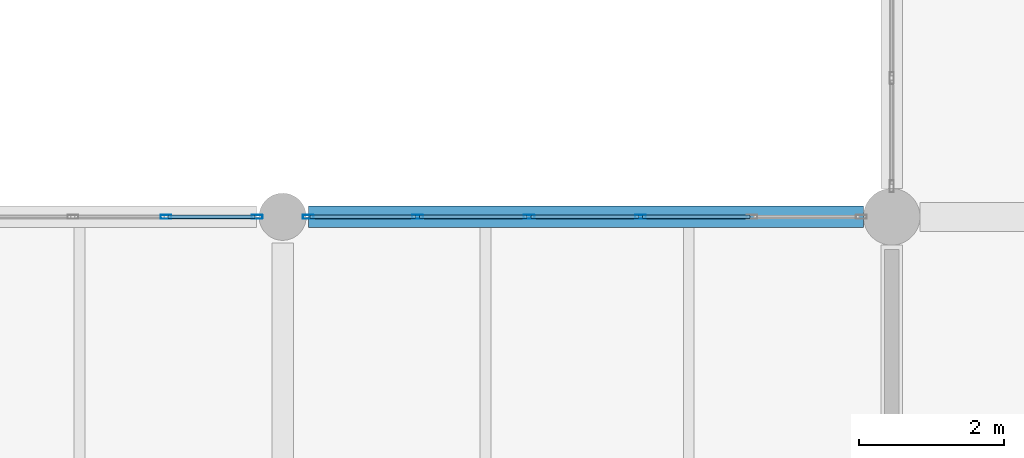
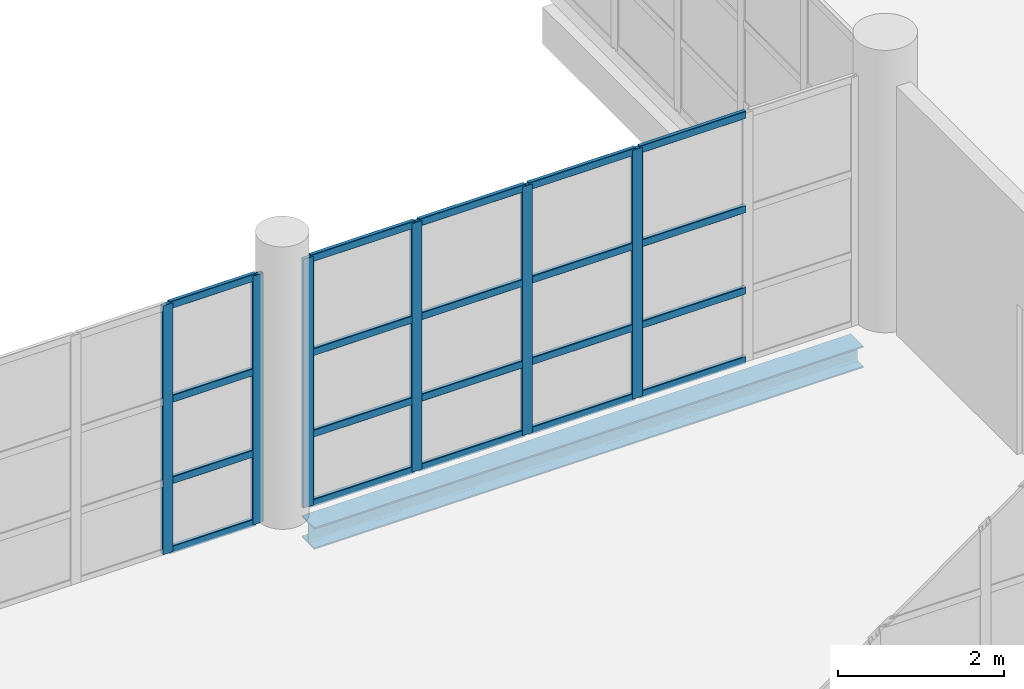
# One storey, part 77 of 177: 26 members, 1 beam, 2 elements without a shape of their own.
"""IFC4 building model written with IfcOpenShell, lengths in metres."""

import ifcopenshell
import ifcopenshell.guid

model = None  # the IFC model being written
_history = None  # IfcOwnerHistory: only IFC2X3 demands one
_inside = {}  # id of a spatial element -> (the spatial element, [elements in it])
_under = {}  # id of a project, library or spatial element -> (it, [spatial elements below it])
_declared = {}  # id of a project -> (the project, [libraries it declares])
_typed = {}  # id of a type object -> (the type object, [elements of that type])
_made_of = {}  # id of a material, layer set ... -> (it, [elements and type objects made of it])


def new_model(schema):
    """Start an empty IFC model of exactly this schema.

    Asked for "IFC4X3", IfcOpenShell would pick the latest addendum, in which some entities
    have other attributes; the version numbers below select the first issue.
    IFC2X3 requires an IfcOwnerHistory on every rooted entity: one is made here for all.
    """
    global model, _history
    if schema == "IFC4X3":
        model = ifcopenshell.file(schema_version=(4, 3, 0, 0))
    else:
        model = ifcopenshell.file(schema=schema)
    _inside.clear()
    _under.clear()
    _declared.clear()
    _typed.clear()
    _made_of.clear()
    _history = None
    if model.schema == "IFC2X3":
        org = make("IfcOrganization", Name="unknown")
        user = make(
            "IfcPersonAndOrganization",
            ThePerson=make("IfcPerson", FamilyName="unknown"),
            TheOrganization=org,
        )
        app = make(
            "IfcApplication",
            ApplicationDeveloper=org,
            Version="unknown",
            ApplicationFullName="unknown",
            ApplicationIdentifier="unknown",
        )
        _history = make(
            "IfcOwnerHistory",
            OwningUser=user,
            OwningApplication=app,
            ChangeAction="ADDED",
            CreationDate=0,
        )
    return model


def make(cls, **values):
    """One entity of the class cls with the attributes given. An attribute that is None is left unset."""
    return model.create_entity(
        cls, **{name: value for name, value in values.items() if value is not None}
    )


def rooted(cls, **values):
    """An entity with a GlobalId (a new one), such as an element, a storey or a relation."""
    return make(cls, GlobalId=ifcopenshell.guid.new(), OwnerHistory=_history, **values)


def si_unit(unit_type, name, prefix=None):
    """IfcSIUnit, for example si_unit("LENGTHUNIT", "METRE", prefix="MILLI")."""
    return make("IfcSIUnit", UnitType=unit_type, Prefix=prefix, Name=name)


def assignment(units):
    """IfcUnitAssignment: the units of a project."""
    return None if units is None else make("IfcUnitAssignment", Units=units)


def point(xyz):
    """IfcCartesianPoint."""
    return None if xyz is None else make("IfcCartesianPoint", Coordinates=xyz)


def direction(xyz):
    """IfcDirection."""
    return None if xyz is None else make("IfcDirection", DirectionRatios=xyz)


def frame(location, z_axis=None, x_axis=None):
    """IfcAxis2Placement3D, a coordinate frame: its origin and axes. An axis left out is left unset."""
    return make(
        "IfcAxis2Placement3D",
        Location=point(location),
        Axis=direction(z_axis),
        RefDirection=direction(x_axis),
    )


def frame_2d(location, x_axis=None):
    """IfcAxis2Placement2D, a coordinate frame in the plane: its origin and x axis."""
    return make(
        "IfcAxis2Placement2D", Location=point(location), RefDirection=direction(x_axis)
    )


def origin():
    """The frame at (0, 0, 0) with its axes left unset."""
    return frame((0.0, 0.0, 0.0))


def origin_2d():
    """The frame at (0, 0) in the plane with its x axis left unset."""
    return frame_2d((0.0, 0.0))


def place(relative_to, where):
    """IfcLocalPlacement: puts the frame where relative to a parent placement (None: the world)."""
    return make(
        "IfcLocalPlacement", PlacementRelTo=relative_to, RelativePlacement=where
    )


def context(
    kind, dimensions, precision=None, world=None, true_north=None, identifier=None
):
    """IfcGeometricRepresentationContext, for example the 3D "Model" context."""
    return make(
        "IfcGeometricRepresentationContext",
        ContextIdentifier=identifier,
        ContextType=kind,
        CoordinateSpaceDimension=dimensions,
        Precision=precision,
        WorldCoordinateSystem=world,
        TrueNorth=true_north,
    )


def subcontext(parent, identifier, kind, view, scale=None):
    """IfcGeometricRepresentationSubContext, for example "Body" below "Model"."""
    return make(
        "IfcGeometricRepresentationSubContext",
        ContextIdentifier=identifier,
        ContextType=kind,
        ParentContext=parent,
        TargetScale=scale,
        TargetView=view,
    )


def project(units=None, contexts=None):
    """IfcProject with its units and contexts."""
    return rooted(
        "IfcProject",
        Name="project",
        RepresentationContexts=contexts,
        UnitsInContext=assignment(units),
    )


def spatial(cls, under=None, at=None, **own):
    """A site, building, storey or space (cls), placed at a placement, below another one or the project."""
    s = rooted(cls, ObjectPlacement=at, **own)
    if under is not None:
        _under.setdefault(under.id(), (under, []))[1].append(s)
    return s


def profile(cls, at=None, kind="AREA", **sizes):
    """A parametric profile (cls). Its sizes go by their IFC names, for example OverallWidth=200.0."""
    return make(cls, ProfileType=kind, Position=at, **sizes)


def hollow_rectangle(**sizes):
    """IfcRectangleHollowProfileDef."""
    return profile("IfcRectangleHollowProfileDef", **sizes)


def i_section(**sizes):
    """IfcIShapeProfileDef."""
    return profile("IfcIShapeProfileDef", **sizes)


def extrude(swept, where, along, depth):
    """IfcExtrudedAreaSolid: the profile swept, set in the frame where, extruded along a direction by depth."""
    return make(
        "IfcExtrudedAreaSolid",
        SweptArea=swept,
        Position=where,
        ExtrudedDirection=direction(along),
        Depth=depth,
    )


def shape(context_of_items, identifier, shape_type, items):
    """IfcShapeRepresentation: the items that make up one representation, for example the "Body"."""
    return make(
        "IfcShapeRepresentation",
        ContextOfItems=context_of_items,
        RepresentationIdentifier=identifier,
        RepresentationType=shape_type,
        Items=items,
    )


def material(Name=None, Category=None):
    """IfcMaterial."""
    return make("IfcMaterial", Name=Name, Category=Category)


def layer(
    of_material, thickness, ventilated=None, Name=None, Category=None, Priority=None
):
    """IfcMaterialLayer: one layer of a wall or slab, of a material (None: an air gap)."""
    return make(
        "IfcMaterialLayer",
        Material=of_material,
        LayerThickness=thickness,
        IsVentilated=ventilated,
        Name=Name,
        Category=Category,
        Priority=Priority,
    )


def layer_set(layers, Name=None):
    """IfcMaterialLayerSet."""
    return make("IfcMaterialLayerSet", MaterialLayers=layers, LayerSetName=Name)


def material_profile(
    of_material, cross_section, Name=None, Category=None, Priority=None
):
    """IfcMaterialProfile: a cross section and its material."""
    return make(
        "IfcMaterialProfile",
        Name=Name,
        Material=of_material,
        Profile=cross_section,
        Priority=Priority,
        Category=Category,
    )


def profile_set(profiles, Name=None, composite=None):
    """IfcMaterialProfileSet."""
    return make(
        "IfcMaterialProfileSet",
        Name=Name,
        MaterialProfiles=profiles,
        CompositeProfile=composite,
    )


def made_of(thing, what):
    """Note that an element or type object is made of a material, layer set ...; save() writes the relation."""
    if what is not None:
        _made_of.setdefault(what.id(), (what, []))[1].append(thing)
    return thing


def type_object(cls, material=None, **own):
    """A type object (cls), such as IfcWallType, which elements share."""
    return made_of(rooted(cls, **own), material)


def element(
    cls,
    number,
    at=None,
    inside=None,
    cuts=None,
    type_object=None,
    material=None,
    context=None,
    identifier="Body",
    shape_type=None,
    held_by="IfcProductDefinitionShape",
    body=None,
    shapes=None,
    **own,
):
    """One element of the class cls, such as IfcWall. Its Tag is "e" and its number.

    at: its placement. inside: the storey or other place that contains it. cuts: it is an
    opening in that element (IfcRelVoidsElement). A single representation is given by context,
    identifier, shape_type and body (its items); several are given by shapes. held_by: the class
    of the entity that holds the representations. save() writes the other relations.
    """
    e = rooted(cls, Tag="e%d" % number, ObjectPlacement=at, **own)
    if body is not None:
        shapes = [shape(context, identifier, shape_type, body)]
    if shapes is not None:
        e.Representation = make(held_by, Representations=shapes)
    if inside is not None:
        _inside.setdefault(inside.id(), (inside, []))[1].append(e)
    if cuts is not None:
        rooted(
            "IfcRelVoidsElement", RelatingBuildingElement=cuts, RelatedOpeningElement=e
        )
    if type_object is not None:
        _typed.setdefault(type_object.id(), (type_object, []))[1].append(e)
    return made_of(e, material)


def aggregate(whole, parts):
    """IfcRelAggregates: a whole, such as a stair, and the parts it consists of."""
    return rooted("IfcRelAggregates", RelatingObject=whole, RelatedObjects=parts)


def save(model, path):
    """Write the relations noted so far, then the file.

    IfcRelAggregates (storeys below a building ...), IfcRelContainedInSpatialStructure (elements
    in a storey), IfcRelDefinesByType, IfcRelAssociatesMaterial and IfcRelDeclares: one each for
    every whole, place, type object, material and project.
    """
    for whole, parts in _under.values():
        aggregate(whole, parts)
    for where, things in _inside.values():
        rooted(
            "IfcRelContainedInSpatialStructure",
            RelatedElements=things,
            RelatingStructure=where,
        )
    for kind, things in _typed.values():
        rooted("IfcRelDefinesByType", RelatedObjects=things, RelatingType=kind)
    for what, things in _made_of.values():
        rooted("IfcRelAssociatesMaterial", RelatedObjects=things, RelatingMaterial=what)
    for by, libraries in _declared.values():
        rooted("IfcRelDeclares", RelatingContext=by, RelatedDefinitions=libraries)
    model.write(path)


model = new_model("IFC4")

# Units and contexts
model_context = context("Model", 3, precision=1e-05, world=origin(), true_north=direction((0.0, 1.0)))
body_context = subcontext(model_context, "Body", "Model", "MODEL_VIEW")
ifc_project = project(units=[si_unit("LENGTHUNIT", "METRE"), si_unit("AREAUNIT", "SQUARE_METRE"), si_unit("VOLUMEUNIT", "CUBIC_METRE"), si_unit("PLANEANGLEUNIT", "RADIAN"), si_unit("MASSUNIT", "GRAM", prefix="KILO"), si_unit("THERMODYNAMICTEMPERATUREUNIT", "KELVIN"), si_unit("POWERUNIT", "WATT")], contexts=[model_context])

# Site, building, storey
site_placement = place(None, origin())
site = spatial("IfcSite", under=ifc_project, at=site_placement, CompositionType="ELEMENT")
building_placement = place(site_placement, origin())
building = spatial("IfcBuilding", under=site, at=building_placement, Name="Mavoryth Pier Ferry Terminal", CompositionType="ELEMENT")
storey_placement = place(building_placement, frame((0.0, 0.0, 5.43994140625)))
storey = spatial("IfcBuildingStorey", under=building, at=storey_placement, Name="L01", CompositionType="ELEMENT", Elevation=5.43994140625)

# Curtain wall, members
ifc_material_1 = material(Name="Anodised Aluminium and Solar-Control Low-E Glass", Category="aluminium")
ifc_layer = layer(ifc_material_1, 0.1201171875, Name="Anodised Aluminium and Solar-Control Low-E Glass", Category="aluminium")
ifc_layer_set = layer_set([ifc_layer], Name="Anodised Aluminium and Solar-Control Low-E Glass - CW-BridgeLink-Mod1400")
curtain_wall_type = type_object("IfcCurtainWallType", Name="CW-BridgeLink-Mod1400", PredefinedType="USERDEFINED", material=ifc_layer_set)
curtain_wall_1_placement = place(storey_placement, origin())
curtain_wall_1 = element("IfcCurtainWall", 1, at=curtain_wall_1_placement, inside=storey, type_object=curtain_wall_type, Name="Curtain Wall CW-0111-099", ObjectType="UNITISED CURTAIN WALL", PredefinedType="USERDEFINED")
ifc_material_2 = material(Name="Anodised Aluminium EN AW-6063", Category="aluminium")
ifc_material_profile_1 = material_profile(ifc_material_2, hollow_rectangle(XDim=0.054931640625, YDim=0.14990234375, WallThickness=0.00390625, InnerFilletRadius=0.00390625, OuterFilletRadius=0.008056640625, at=origin_2d()), Name="AL-MULL 150x55x4", Category="aluminium")
ifc_profile_set_1 = profile_set([ifc_material_profile_1], Name="Anodised Aluminium EN AW-6063 - AL-MULL 150x55x4")
member_type_1 = type_object("IfcMemberType", Name="Mullion-Alum-150x55", PredefinedType="MULLION", material=ifc_profile_set_1)
member_1_placement = place(storey_placement, frame((40.3916015625, 97.60009765625, 0.0), z_axis=(0.0, 0.0, 1.0), x_axis=(0.0, 1.0, 0.0)))
member_1 = element("IfcMember", 2, at=member_1_placement, type_object=member_type_1, Name="CW08 mullion 6", PredefinedType="MULLION", context=body_context, shape_type="SweptSolid", body=[
    extrude(hollow_rectangle(XDim=0.054931640625, YDim=0.14990234375, WallThickness=0.00390625, InnerFilletRadius=0.00390625, OuterFilletRadius=0.008056640625, at=origin_2d()), origin(), (0.0, 0.0, 1.0), 3.6650390625),
])
member_2_placement = place(storey_placement, frame((41.6474609375, 97.60009765625, 0.0), z_axis=(0.0, 0.0, 1.0), x_axis=(0.0, 1.0, 0.0)))
member_2 = element("IfcMember", 3, at=member_2_placement, type_object=member_type_1, Name="CW08 mullion 7", PredefinedType="MULLION", context=body_context, shape_type="SweptSolid", body=[
    extrude(hollow_rectangle(XDim=0.054931640625, YDim=0.14990234375, WallThickness=0.00390625, InnerFilletRadius=0.00390625, OuterFilletRadius=0.008056640625, at=origin_2d()), origin(), (0.0, 0.0, 1.0), 3.6650390625),
])

curtain_wall_2_placement = place(storey_placement, origin())
curtain_wall_2 = element("IfcCurtainWall", 4, at=curtain_wall_2_placement, inside=storey, type_object=curtain_wall_type, Name="Curtain Wall CW-0111-101", ObjectType="UNITISED CURTAIN WALL", PredefinedType="USERDEFINED")
member_3_placement = place(storey_placement, frame((42.3525390625, 97.60009765625, 0.0), z_axis=(0.0, 0.0, 1.0), x_axis=(0.0, 1.0, 0.0)))
member_3 = element("IfcMember", 5, at=member_3_placement, type_object=member_type_1, Name="CW08 mullion 1", PredefinedType="MULLION", context=body_context, shape_type="SweptSolid", body=[
    extrude(hollow_rectangle(XDim=0.054931640625, YDim=0.14990234375, WallThickness=0.00390625, InnerFilletRadius=0.00390625, OuterFilletRadius=0.008056640625, at=origin_2d()), origin(), (0.0, 0.0, 1.0), 3.6650390625),
])
member_4_placement = place(storey_placement, frame((43.862060546875, 97.60009765625, 0.0), z_axis=(0.0, 0.0, 1.0), x_axis=(0.0, 1.0, 0.0)))
member_4 = element("IfcMember", 6, at=member_4_placement, type_object=member_type_1, Name="CW08 mullion 2", PredefinedType="MULLION", context=body_context, shape_type="SweptSolid", body=[
    extrude(hollow_rectangle(XDim=0.054931640625, YDim=0.14990234375, WallThickness=0.00390625, InnerFilletRadius=0.00390625, OuterFilletRadius=0.008056640625, at=origin_2d()), origin(), (0.0, 0.0, 1.0), 3.6650390625),
])
member_5_placement = place(storey_placement, frame((45.39892578125, 97.60009765625, 0.0), z_axis=(0.0, 0.0, 1.0), x_axis=(0.0, 1.0, 0.0)))
member_5 = element("IfcMember", 7, at=member_5_placement, type_object=member_type_1, Name="CW08 mullion 3", PredefinedType="MULLION", context=body_context, shape_type="SweptSolid", body=[
    extrude(hollow_rectangle(XDim=0.054931640625, YDim=0.14990234375, WallThickness=0.00390625, InnerFilletRadius=0.00390625, OuterFilletRadius=0.008056640625, at=origin_2d()), origin(), (0.0, 0.0, 1.0), 3.6650390625),
])
member_6_placement = place(storey_placement, frame((46.93603515625, 97.60009765625, 0.0), z_axis=(0.0, 0.0, 1.0), x_axis=(0.0, 1.0, 0.0)))
member_6 = element("IfcMember", 8, at=member_6_placement, type_object=member_type_1, Name="CW08 mullion 4", PredefinedType="MULLION", context=body_context, shape_type="SweptSolid", body=[
    extrude(hollow_rectangle(XDim=0.054931640625, YDim=0.14990234375, WallThickness=0.00390625, InnerFilletRadius=0.00390625, OuterFilletRadius=0.008056640625, at=origin_2d()), origin(), (0.0, 0.0, 1.0), 3.6650390625),
])

# Beam
ifc_material_3 = material(Name="Steel S355J2", Category="steel")
ifc_material_profile_2 = material_profile(ifc_material_3, i_section(OverallWidth=0.300048828125, OverallDepth=0.320068359375, WebThickness=0.011474609375, FlangeThickness=0.0205078125, FilletRadius=0.027099609375, at=origin_2d()), Name="HEB 320", Category="steel")
ifc_profile_set_2 = profile_set([ifc_material_profile_2], Name="Steel S355J2 - HEB 320")
beam_type = type_object("IfcBeamType", Name="Spandrel-Steel-HEB320", PredefinedType="SPANDREL", material=ifc_profile_set_2)
beam_placement = place(storey_placement, frame((42.360107421875, 97.60009765625, -0.39990234375), z_axis=(1.0, 0.0, 0.0), x_axis=(0.0, 1.0, 0.0)))
element("IfcBeam", 9, at=beam_placement, inside=storey, type_object=beam_type, Name="Beam B01-SP04-0152", PredefinedType="SPANDREL", context=body_context, shape_type="SweptSolid", body=[
    extrude(i_section(OverallWidth=0.300048828125, OverallDepth=0.320068359375, WebThickness=0.011474609375, FlangeThickness=0.0205078125, FilletRadius=0.027099609375, at=origin_2d()), origin(), (0.0, 0.0, 1.0), 7.64990234375),
])

# Member
ifc_material_profile_3 = material_profile(ifc_material_2, hollow_rectangle(XDim=0.054931640625, YDim=0.110107421875, WallThickness=0.00390625, InnerFilletRadius=0.00390625, OuterFilletRadius=0.008056640625, at=origin_2d()), Name="AL-TRAN 110x55x4", Category="aluminium")
ifc_profile_set_3 = profile_set([ifc_material_profile_3], Name="Anodised Aluminium EN AW-6063 - AL-TRAN 110x55x4")
member_type_2 = type_object("IfcMemberType", Name="Transom-Alum-110x55", PredefinedType="USERDEFINED", material=ifc_profile_set_3)
member_7_placement = place(storey_placement, frame((40.419189453125, 97.60009765625, 0.027587890625), z_axis=(1.0, 0.0, 0.0), x_axis=(0.0, 1.0, 0.0)))
member_7 = element("IfcMember", 10, at=member_7_placement, type_object=member_type_2, Name="CW08 transom 6.1", ObjectType="TRANSOM", PredefinedType="USERDEFINED", context=body_context, shape_type="SweptSolid", body=[
    extrude(hollow_rectangle(XDim=0.054931640625, YDim=0.110107421875, WallThickness=0.00390625, InnerFilletRadius=0.00390625, OuterFilletRadius=0.008056640625, at=origin_2d()), origin(), (0.0, 0.0, 1.0), 1.200927734375),
])

member_8_placement = place(storey_placement, frame((40.419189453125, 97.60009765625, 1.050048828125), z_axis=(1.0, 0.0, 0.0), x_axis=(0.0, 1.0, 0.0)))
member_8 = element("IfcMember", 11, at=member_8_placement, type_object=member_type_2, Name="CW08 transom 6.2", ObjectType="TRANSOM", PredefinedType="USERDEFINED", context=body_context, shape_type="SweptSolid", body=[
    extrude(hollow_rectangle(XDim=0.054931640625, YDim=0.110107421875, WallThickness=0.00390625, InnerFilletRadius=0.00390625, OuterFilletRadius=0.008056640625, at=origin_2d()), origin(), (0.0, 0.0, 1.0), 1.200927734375),
])

member_9_placement = place(storey_placement, frame((40.419189453125, 97.60009765625, 2.25), z_axis=(1.0, 0.0, 0.0), x_axis=(0.0, 1.0, 0.0)))
member_9 = element("IfcMember", 12, at=member_9_placement, type_object=member_type_2, Name="CW08 transom 6.3", ObjectType="TRANSOM", PredefinedType="USERDEFINED", context=body_context, shape_type="SweptSolid", body=[
    extrude(hollow_rectangle(XDim=0.054931640625, YDim=0.110107421875, WallThickness=0.00390625, InnerFilletRadius=0.00390625, OuterFilletRadius=0.008056640625, at=origin_2d()), origin(), (0.0, 0.0, 1.0), 1.200927734375),
])

member_10_placement = place(storey_placement, frame((40.419189453125, 97.60009765625, 3.637451171875), z_axis=(1.0, 0.0, 0.0), x_axis=(0.0, 1.0, 0.0)))
member_10 = element("IfcMember", 13, at=member_10_placement, type_object=member_type_2, Name="CW08 transom 6.4", ObjectType="TRANSOM", PredefinedType="USERDEFINED", context=body_context, shape_type="SweptSolid", body=[
    extrude(hollow_rectangle(XDim=0.054931640625, YDim=0.110107421875, WallThickness=0.00390625, InnerFilletRadius=0.00390625, OuterFilletRadius=0.008056640625, at=origin_2d()), origin(), (0.0, 0.0, 1.0), 1.200927734375),
])

aggregate(curtain_wall_1, [member_1, member_2, member_7, member_8, member_9, member_10])

member_11_placement = place(storey_placement, frame((42.3798828125, 97.60009765625, 0.027587890625), z_axis=(1.0, 0.0, 0.0), x_axis=(0.0, 1.0, 0.0)))
member_11 = element("IfcMember", 14, at=member_11_placement, type_object=member_type_2, Name="CW08 transom 1.1", ObjectType="TRANSOM", PredefinedType="USERDEFINED", context=body_context, shape_type="SweptSolid", body=[
    extrude(hollow_rectangle(XDim=0.054931640625, YDim=0.110107421875, WallThickness=0.00390625, InnerFilletRadius=0.00390625, OuterFilletRadius=0.008056640625, at=origin_2d()), origin(), (0.0, 0.0, 1.0), 1.45458984375),
])

member_12_placement = place(storey_placement, frame((42.3798828125, 97.60009765625, 1.050048828125), z_axis=(1.0, 0.0, 0.0), x_axis=(0.0, 1.0, 0.0)))
member_12 = element("IfcMember", 15, at=member_12_placement, type_object=member_type_2, Name="CW08 transom 1.2", ObjectType="TRANSOM", PredefinedType="USERDEFINED", context=body_context, shape_type="SweptSolid", body=[
    extrude(hollow_rectangle(XDim=0.054931640625, YDim=0.110107421875, WallThickness=0.00390625, InnerFilletRadius=0.00390625, OuterFilletRadius=0.008056640625, at=origin_2d()), origin(), (0.0, 0.0, 1.0), 1.45458984375),
])

member_13_placement = place(storey_placement, frame((42.3798828125, 97.60009765625, 2.25), z_axis=(1.0, 0.0, 0.0), x_axis=(0.0, 1.0, 0.0)))
member_13 = element("IfcMember", 16, at=member_13_placement, type_object=member_type_2, Name="CW08 transom 1.3", ObjectType="TRANSOM", PredefinedType="USERDEFINED", context=body_context, shape_type="SweptSolid", body=[
    extrude(hollow_rectangle(XDim=0.054931640625, YDim=0.110107421875, WallThickness=0.00390625, InnerFilletRadius=0.00390625, OuterFilletRadius=0.008056640625, at=origin_2d()), origin(), (0.0, 0.0, 1.0), 1.45458984375),
])

member_14_placement = place(storey_placement, frame((42.3798828125, 97.60009765625, 3.637451171875), z_axis=(1.0, 0.0, 0.0), x_axis=(0.0, 1.0, 0.0)))
member_14 = element("IfcMember", 17, at=member_14_placement, type_object=member_type_2, Name="CW08 transom 1.4", ObjectType="TRANSOM", PredefinedType="USERDEFINED", context=body_context, shape_type="SweptSolid", body=[
    extrude(hollow_rectangle(XDim=0.054931640625, YDim=0.110107421875, WallThickness=0.00390625, InnerFilletRadius=0.00390625, OuterFilletRadius=0.008056640625, at=origin_2d()), origin(), (0.0, 0.0, 1.0), 1.45458984375),
])

member_15_placement = place(storey_placement, frame((43.889404296875, 97.60009765625, 0.027587890625), z_axis=(1.0, 0.0, 0.0), x_axis=(0.0, 1.0, 0.0)))
member_15 = element("IfcMember", 18, at=member_15_placement, type_object=member_type_2, Name="CW08 transom 2.1", ObjectType="TRANSOM", PredefinedType="USERDEFINED", context=body_context, shape_type="SweptSolid", body=[
    extrude(hollow_rectangle(XDim=0.054931640625, YDim=0.110107421875, WallThickness=0.00390625, InnerFilletRadius=0.00390625, OuterFilletRadius=0.008056640625, at=origin_2d()), origin(), (0.0, 0.0, 1.0), 1.482177734375),
])

member_16_placement = place(storey_placement, frame((43.889404296875, 97.60009765625, 1.050048828125), z_axis=(1.0, 0.0, 0.0), x_axis=(0.0, 1.0, 0.0)))
member_16 = element("IfcMember", 19, at=member_16_placement, type_object=member_type_2, Name="CW08 transom 2.2", ObjectType="TRANSOM", PredefinedType="USERDEFINED", context=body_context, shape_type="SweptSolid", body=[
    extrude(hollow_rectangle(XDim=0.054931640625, YDim=0.110107421875, WallThickness=0.00390625, InnerFilletRadius=0.00390625, OuterFilletRadius=0.008056640625, at=origin_2d()), origin(), (0.0, 0.0, 1.0), 1.482177734375),
])

member_17_placement = place(storey_placement, frame((43.889404296875, 97.60009765625, 2.25), z_axis=(1.0, 0.0, 0.0), x_axis=(0.0, 1.0, 0.0)))
member_17 = element("IfcMember", 20, at=member_17_placement, type_object=member_type_2, Name="CW08 transom 2.3", ObjectType="TRANSOM", PredefinedType="USERDEFINED", context=body_context, shape_type="SweptSolid", body=[
    extrude(hollow_rectangle(XDim=0.054931640625, YDim=0.110107421875, WallThickness=0.00390625, InnerFilletRadius=0.00390625, OuterFilletRadius=0.008056640625, at=origin_2d()), origin(), (0.0, 0.0, 1.0), 1.482177734375),
])

member_18_placement = place(storey_placement, frame((43.889404296875, 97.60009765625, 3.637451171875), z_axis=(1.0, 0.0, 0.0), x_axis=(0.0, 1.0, 0.0)))
member_18 = element("IfcMember", 21, at=member_18_placement, type_object=member_type_2, Name="CW08 transom 2.4", ObjectType="TRANSOM", PredefinedType="USERDEFINED", context=body_context, shape_type="SweptSolid", body=[
    extrude(hollow_rectangle(XDim=0.054931640625, YDim=0.110107421875, WallThickness=0.00390625, InnerFilletRadius=0.00390625, OuterFilletRadius=0.008056640625, at=origin_2d()), origin(), (0.0, 0.0, 1.0), 1.482177734375),
])

member_19_placement = place(storey_placement, frame((45.426513671875, 97.60009765625, 0.027587890625), z_axis=(1.0, 0.0, 0.0), x_axis=(0.0, 1.0, 0.0)))
member_19 = element("IfcMember", 22, at=member_19_placement, type_object=member_type_2, Name="CW08 transom 3.1", ObjectType="TRANSOM", PredefinedType="USERDEFINED", context=body_context, shape_type="SweptSolid", body=[
    extrude(hollow_rectangle(XDim=0.054931640625, YDim=0.110107421875, WallThickness=0.00390625, InnerFilletRadius=0.00390625, OuterFilletRadius=0.008056640625, at=origin_2d()), origin(), (0.0, 0.0, 1.0), 1.48193359375),
])

member_20_placement = place(storey_placement, frame((45.426513671875, 97.60009765625, 1.050048828125), z_axis=(1.0, 0.0, 0.0), x_axis=(0.0, 1.0, 0.0)))
member_20 = element("IfcMember", 23, at=member_20_placement, type_object=member_type_2, Name="CW08 transom 3.2", ObjectType="TRANSOM", PredefinedType="USERDEFINED", context=body_context, shape_type="SweptSolid", body=[
    extrude(hollow_rectangle(XDim=0.054931640625, YDim=0.110107421875, WallThickness=0.00390625, InnerFilletRadius=0.00390625, OuterFilletRadius=0.008056640625, at=origin_2d()), origin(), (0.0, 0.0, 1.0), 1.48193359375),
])

member_21_placement = place(storey_placement, frame((45.426513671875, 97.60009765625, 2.25), z_axis=(1.0, 0.0, 0.0), x_axis=(0.0, 1.0, 0.0)))
member_21 = element("IfcMember", 24, at=member_21_placement, type_object=member_type_2, Name="CW08 transom 3.3", ObjectType="TRANSOM", PredefinedType="USERDEFINED", context=body_context, shape_type="SweptSolid", body=[
    extrude(hollow_rectangle(XDim=0.054931640625, YDim=0.110107421875, WallThickness=0.00390625, InnerFilletRadius=0.00390625, OuterFilletRadius=0.008056640625, at=origin_2d()), origin(), (0.0, 0.0, 1.0), 1.48193359375),
])

member_22_placement = place(storey_placement, frame((45.426513671875, 97.60009765625, 3.637451171875), z_axis=(1.0, 0.0, 0.0), x_axis=(0.0, 1.0, 0.0)))
member_22 = element("IfcMember", 25, at=member_22_placement, type_object=member_type_2, Name="CW08 transom 3.4", ObjectType="TRANSOM", PredefinedType="USERDEFINED", context=body_context, shape_type="SweptSolid", body=[
    extrude(hollow_rectangle(XDim=0.054931640625, YDim=0.110107421875, WallThickness=0.00390625, InnerFilletRadius=0.00390625, OuterFilletRadius=0.008056640625, at=origin_2d()), origin(), (0.0, 0.0, 1.0), 1.48193359375),
])

member_23_placement = place(storey_placement, frame((46.96337890625, 97.60009765625, 0.027587890625), z_axis=(1.0, 0.0, 0.0), x_axis=(0.0, 1.0, 0.0)))
member_23 = element("IfcMember", 26, at=member_23_placement, type_object=member_type_2, Name="CW08 transom 4.1", ObjectType="TRANSOM", PredefinedType="USERDEFINED", context=body_context, shape_type="SweptSolid", body=[
    extrude(hollow_rectangle(XDim=0.054931640625, YDim=0.110107421875, WallThickness=0.00390625, InnerFilletRadius=0.00390625, OuterFilletRadius=0.008056640625, at=origin_2d()), origin(), (0.0, 0.0, 1.0), 1.482177734375),
])

member_24_placement = place(storey_placement, frame((46.96337890625, 97.60009765625, 1.050048828125), z_axis=(1.0, 0.0, 0.0), x_axis=(0.0, 1.0, 0.0)))
member_24 = element("IfcMember", 27, at=member_24_placement, type_object=member_type_2, Name="CW08 transom 4.2", ObjectType="TRANSOM", PredefinedType="USERDEFINED", context=body_context, shape_type="SweptSolid", body=[
    extrude(hollow_rectangle(XDim=0.054931640625, YDim=0.110107421875, WallThickness=0.00390625, InnerFilletRadius=0.00390625, OuterFilletRadius=0.008056640625, at=origin_2d()), origin(), (0.0, 0.0, 1.0), 1.482177734375),
])

member_25_placement = place(storey_placement, frame((46.96337890625, 97.60009765625, 2.25), z_axis=(1.0, 0.0, 0.0), x_axis=(0.0, 1.0, 0.0)))
member_25 = element("IfcMember", 28, at=member_25_placement, type_object=member_type_2, Name="CW08 transom 4.3", ObjectType="TRANSOM", PredefinedType="USERDEFINED", context=body_context, shape_type="SweptSolid", body=[
    extrude(hollow_rectangle(XDim=0.054931640625, YDim=0.110107421875, WallThickness=0.00390625, InnerFilletRadius=0.00390625, OuterFilletRadius=0.008056640625, at=origin_2d()), origin(), (0.0, 0.0, 1.0), 1.482177734375),
])

member_26_placement = place(storey_placement, frame((46.96337890625, 97.60009765625, 3.637451171875), z_axis=(1.0, 0.0, 0.0), x_axis=(0.0, 1.0, 0.0)))
member_26 = element("IfcMember", 29, at=member_26_placement, type_object=member_type_2, Name="CW08 transom 4.4", ObjectType="TRANSOM", PredefinedType="USERDEFINED", context=body_context, shape_type="SweptSolid", body=[
    extrude(hollow_rectangle(XDim=0.054931640625, YDim=0.110107421875, WallThickness=0.00390625, InnerFilletRadius=0.00390625, OuterFilletRadius=0.008056640625, at=origin_2d()), origin(), (0.0, 0.0, 1.0), 1.482177734375),
])

aggregate(curtain_wall_2, [member_3, member_4, member_5, member_6, member_11, member_12, member_13, member_14, member_15, member_16, member_17, member_18, member_19, member_20, member_21, member_22, member_23, member_24, member_25, member_26])

save(model, "model.ifc")
